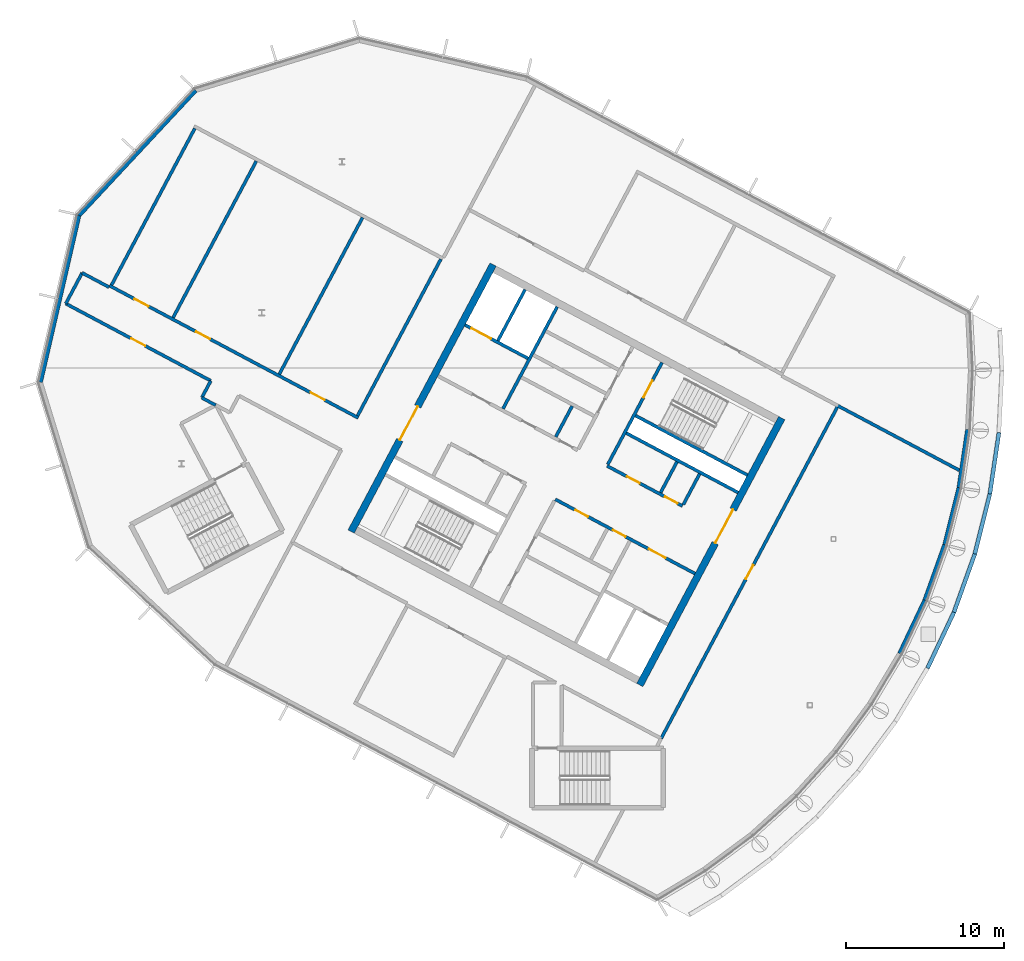
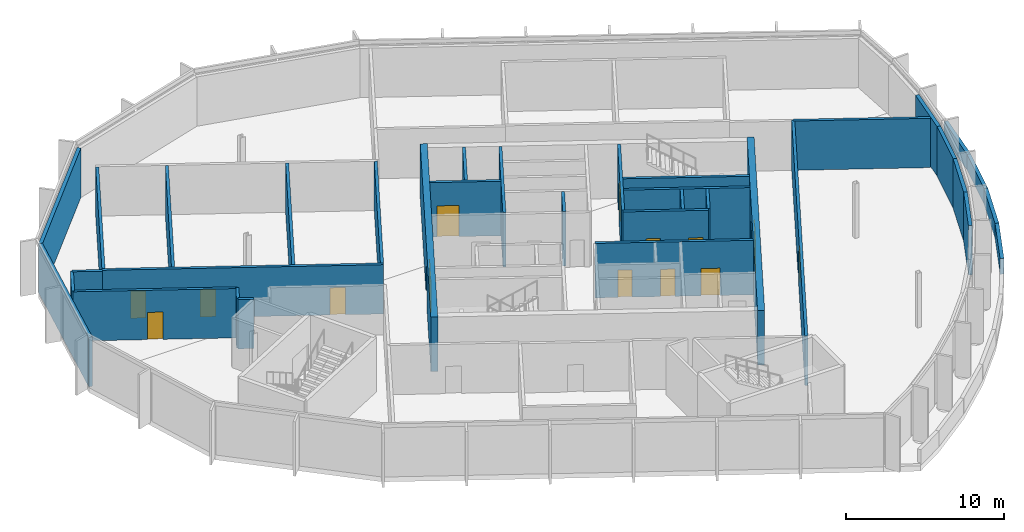
# One storey, part 7 of 16: 35 walls, 14 doors, 14 openings.
"""IFC4 building model written with IfcOpenShell, lengths in metres."""

from ifc_helpers import new_model, si_unit, direction, frame, frame_2d, origin, place, context, subcontext, project, spatial, rectangle, extrude, material, layer, layer_set, type_object, element, fill, save


model = new_model("IFC4")

# Units and contexts
model_context = context("Model", 3, precision=1e-05, world=origin(), true_north=direction((0.0, 1.0)))
body_context = subcontext(model_context, "Body", "Model", "MODEL_VIEW")
ifc_project = project(units=[si_unit("LENGTHUNIT", "METRE"), si_unit("AREAUNIT", "SQUARE_METRE"), si_unit("VOLUMEUNIT", "CUBIC_METRE"), si_unit("PLANEANGLEUNIT", "RADIAN"), si_unit("MASSUNIT", "GRAM", prefix="KILO")], contexts=[model_context])

# Site, building, storey
site_placement = place(None, origin())
site = spatial("IfcSite", under=ifc_project, at=site_placement, CompositionType="ELEMENT")
building_placement = place(site_placement, origin())
building = spatial("IfcBuilding", under=site, at=building_placement, Name="Cormorant Relay Tower", CompositionType="ELEMENT")
storey_placement = place(building_placement, frame((0.0, 0.0, 345.0)))
storey = spatial("IfcBuildingStorey", under=building, at=storey_placement, Name="C5", CompositionType="ELEMENT", Elevation=345.0)

# Walls
ifc_material_1 = material(Name="Concrete 40 MPa", Category="concrete")
ifc_layer_1 = layer(ifc_material_1, 0.199951171875)
ifc_layer_set_1 = layer_set([ifc_layer_1], Name="Core internal wall 200")
wall_type_1 = type_object("IfcWallType", Name="Core internal wall 200", PredefinedType="SOLIDWALL", material=ifc_layer_set_1)
for number, where, z_axis, x_axis, name in (
    (1, (-20.39013671875, 15.371826171875, 0.0), (0.0, 0.0, 1.0), (-0.4694473164, -0.882960484464, 0.0), "C5 core A shaft and room wall"),
    (2, (-27.01220703125, 18.892822265625, 0.0), (0.0, 0.0, 1.0), (-0.4694473164, -0.882960484464, 0.0), "C5 core A shaft and room wall"),
):
    element("IfcWall", number, at=place(storey_placement, frame(where, z_axis=z_axis, x_axis=x_axis)), inside=storey, type_object=wall_type_1, Name=name, PredefinedType="SOLIDWALL", context=body_context, shape_type="SweptSolid", body=[
        extrude(rectangle(XDim=2.199951171875, YDim=0.199951171875, at=frame_2d((1.10009765625, 0.0))), origin(), (0.0, 0.0, 1.0), 4.199951171875),
    ])
ifc_material_2 = material(Name="Concrete 50 MPa", Category="concrete")
ifc_layer_2 = layer(ifc_material_2, 0.199951171875)
ifc_layer_set_2 = layer_set([ifc_layer_2], Name="Core shaft wall 200")
wall_type_2 = type_object("IfcWallType", Name="Core shaft wall 200", PredefinedType="SHEAR", material=ifc_layer_set_2)
wall_1_placement = place(storey_placement, frame((-18.959716796875, 14.611328125, 0.0), z_axis=(0.0, 0.0, 1.0), x_axis=(-0.4694473164, -0.882960484464, 0.0)))
element("IfcWall", 3, at=wall_1_placement, inside=storey, type_object=wall_type_2, Name="C5 core A shaft wall", PredefinedType="SHEAR", context=body_context, shape_type="SweptSolid", body=[
    extrude(rectangle(XDim=2.199951171875, YDim=0.199951171875, at=frame_2d((1.10009765625, 0.0))), origin(), (0.0, 0.0, 1.0), 4.199951171875),
])

# Wall, opening, door
wall_2_placement = place(storey_placement, frame((-21.333251953125, 21.6494140625, 0.0), z_axis=(0.0, 0.0, 1.0), x_axis=(-0.469494272526, -0.882935517501, 0.0)))
wall_2 = element("IfcWall", 4, at=wall_2_placement, inside=storey, type_object=wall_type_2, Name="C5 core A shaft wall", PredefinedType="SHEAR", context=body_context, shape_type="SweptSolid", body=[
    extrude(rectangle(XDim=7.2998046875, YDim=0.199951171875, at=frame_2d((3.64990234375, 0.0))), origin(), (0.0, 0.0, 1.0), 4.199951171875),
])
opening_1_placement = place(wall_2_placement, frame((1.300048828125, 0.0, 0.0)))
opening_1 = element("IfcOpeningElement", 5, at=opening_1_placement, cuts=wall_2, Name="Opening CDB-044", PredefinedType="OPENING", context=body_context, shape_type="SweptSolid", body=[
    extrude(rectangle(XDim=1.199951171875, YDim=2.10009765625, at=frame_2d((0.60009765625, 1.050048828125))), frame((0.0, 0.10986328125, 0.0), z_axis=(0.0, -1.0, 0.0), x_axis=(1.0, 0.0, 0.0)), (0.0, 0.0, 1.0), 0.219970703125),
])
ifc_material_3 = material(Name="Steel fire door", Category="steel")
door_type_1 = type_object("IfcDoorType", Name="Core stair door 1200x2100", OperationType="SINGLE_SWING_LEFT", PredefinedType="DOOR", material=ifc_material_3)
door_1_placement = place(opening_1_placement, origin())
door_1 = element("IfcDoor", 6, at=door_1_placement, inside=storey, type_object=door_type_1, Name="Core stair door 1200x2100", OperationType="SINGLE_SWING_RIGHT", OverallHeight=2.10009765625, OverallWidth=1.199951171875, PredefinedType="DOOR", context=body_context, shape_type="SweptSolid", body=[
    extrude(rectangle(XDim=1.199951171875, YDim=2.10009765625, at=frame_2d((0.60009765625, 1.050048828125))), frame((0.0, 0.02490234375, 0.0), z_axis=(0.0, -1.0, 0.0), x_axis=(1.0, 0.0, 0.0)), (0.0, 0.0, 1.0), 0.050048828125),
])
fill(opening_1, door_1)

# Walls
wall_3_placement = place(storey_placement, frame((-27.955322265625, 25.170654296875, 0.0), z_axis=(0.0, 0.0, 1.0), x_axis=(-0.469480409012, -0.88294288918, 0.0)))
element("IfcWall", 7, at=wall_3_placement, inside=storey, type_object=wall_type_2, Name="C5 core A shaft wall", PredefinedType="SHEAR", context=body_context, shape_type="SweptSolid", body=[
    extrude(rectangle(XDim=7.300048828125, YDim=0.199951171875, at=frame_2d((3.64990234375, 0.0))), origin(), (0.0, 0.0, 1.0), 4.199951171875),
])
wall_4_placement = place(storey_placement, frame((-29.986083984375, 26.250244140625, 0.0), z_axis=(0.0, 0.0, 1.0), x_axis=(-0.469494272526, -0.882935517501, 0.0)))
element("IfcWall", 8, at=wall_4_placement, inside=storey, type_object=wall_type_2, Name="C5 core A shaft wall", PredefinedType="SHEAR", context=body_context, shape_type="SweptSolid", body=[
    extrude(rectangle(XDim=3.64990234375, YDim=0.199951171875, at=frame_2d((1.824951171875, 0.0))), origin(), (0.0, 0.0, 1.0), 4.199951171875),
])
wall_5_placement = place(storey_placement, frame((-15.94189453125, 14.53564453125, 0.0), z_axis=(0.0, 0.0, 1.0), x_axis=(-0.882946947542, 0.469472776449, 0.0)))
element("IfcWall", 9, at=wall_5_placement, inside=storey, type_object=wall_type_2, Name="C5 core A shaft wall", PredefinedType="SHEAR", context=body_context, shape_type="SweptSolid", body=[
    extrude(rectangle(XDim=8.000244140625, YDim=0.199951171875, at=frame_2d((4.0, 0.0))), origin(), (0.0, 0.0, 1.0), 4.199951171875),
])

# Wall, opening, door
wall_6_placement = place(storey_placement, frame((-29.80419921875, 21.906494140625, 0.0), z_axis=(0.0, 0.0, 1.0), x_axis=(-0.882960433586, 0.469447412093, 0.0)))
wall_6 = element("IfcWall", 10, at=wall_6_placement, inside=storey, type_object=wall_type_2, Name="C5 core A shaft wall", PredefinedType="SHEAR", context=body_context, shape_type="SweptSolid", body=[
    extrude(rectangle(XDim=4.5, YDim=0.199951171875, at=frame_2d((2.25, 0.0))), origin(), (0.0, 0.0, 1.0), 4.199951171875),
])
opening_2_placement = place(wall_6_placement, frame((2.64990234375, 0.0, 0.0)))
opening_2 = element("IfcOpeningElement", 11, at=opening_2_placement, cuts=wall_6, Name="Opening LD3-017", PredefinedType="OPENING", context=body_context, shape_type="SweptSolid", body=[
    extrude(rectangle(XDim=1.39990234375, YDim=2.39990234375, at=frame_2d((0.699951171875, 1.199951171875))), frame((0.0, 0.10986328125, 0.0), z_axis=(0.0, -1.0, 0.0), x_axis=(1.0, 0.0, 0.0)), (0.0, 0.0, 1.0), 0.219970703125),
])
ifc_material_4 = material(Name="Stainless steel 316", Category="steel")
door_type_2 = type_object("IfcDoorType", Name="Lift landing door 1400x2400", OperationType="DOUBLE_DOOR_SLIDING", PredefinedType="DOOR", material=ifc_material_4)
door_2_placement = place(opening_2_placement, origin())
door_2 = element("IfcDoor", 12, at=door_2_placement, inside=storey, type_object=door_type_2, Name="SV1 landing door", OperationType="DOUBLE_DOOR_SLIDING", OverallHeight=2.39990234375, OverallWidth=1.39990234375, PredefinedType="DOOR", context=body_context, shape_type="SweptSolid", body=[
    extrude(rectangle(XDim=1.39990234375, YDim=2.39990234375, at=frame_2d((0.699951171875, 1.199951171875))), frame((0.0, 0.02490234375, 0.0), z_axis=(0.0, -1.0, 0.0), x_axis=(1.0, 0.0, 0.0)), (0.0, 0.0, 1.0), 0.050048828125),
])
fill(opening_2, door_2)

# Wall
wall_7_placement = place(storey_placement, frame((-16.52880859375, 13.43212890625, 0.0), z_axis=(0.0, 0.0, 1.0), x_axis=(-0.88295287151, 0.469461634952, 0.0)))
element("IfcWall", 13, at=wall_7_placement, inside=storey, type_object=wall_type_2, Name="C5 core A shaft wall", PredefinedType="SHEAR", context=body_context, shape_type="SweptSolid", body=[
    extrude(rectangle(XDim=7.999755859375, YDim=0.199951171875, at=frame_2d((4.0, 0.0))), origin(), (0.0, 0.0, 1.0), 4.199951171875),
])

# Wall, openings, doors
wall_8_placement = place(storey_placement, frame((-20.03955078125, 12.58056640625, 0.0), z_axis=(0.0, 0.0, 1.0), x_axis=(-0.882942972946, 0.469480251476, 0.0)))
wall_8 = element("IfcWall", 14, at=wall_8_placement, inside=storey, type_object=wall_type_2, Name="C5 core A shaft wall", PredefinedType="SHEAR", context=body_context, shape_type="SweptSolid", body=[
    extrude(rectangle(XDim=5.39990234375, YDim=0.199951171875, at=frame_2d((2.699951171875, 0.0))), origin(), (0.0, 0.0, 1.0), 4.199951171875),
])
opening_3_placement = place(wall_8_placement, frame((0.360107421875, 0.0, 0.0)))
opening_3 = element("IfcOpeningElement", 15, at=opening_3_placement, cuts=wall_8, Name="Opening CDD-356", PredefinedType="OPENING", context=body_context, shape_type="SweptSolid", body=[
    extrude(rectangle(XDim=0.89990234375, YDim=2.10009765625, at=frame_2d((0.449951171875, 1.050048828125))), frame((0.0, 0.10986328125, 0.0), z_axis=(0.0, -1.0, 0.0), x_axis=(1.0, 0.0, 0.0)), (0.0, 0.0, 1.0), 0.219970703125),
])
opening_4_placement = place(wall_8_placement, frame((3.06005859375, 0.0, 0.0)))
opening_4 = element("IfcOpeningElement", 16, at=opening_4_placement, cuts=wall_8, Name="Opening CDD-357", PredefinedType="OPENING", context=body_context, shape_type="SweptSolid", body=[
    extrude(rectangle(XDim=0.89990234375, YDim=2.10009765625, at=frame_2d((0.449951171875, 1.050048828125))), frame((0.0, 0.10986328125, 0.0), z_axis=(0.0, -1.0, 0.0), x_axis=(1.0, 0.0, 0.0)), (0.0, 0.0, 1.0), 0.219970703125),
])
ifc_material_5 = material(Name="Steel fire door", Category="steel")
door_type_3 = type_object("IfcDoorType", Name="Core room door 900x2100", OperationType="SINGLE_SWING_LEFT", PredefinedType="DOOR", material=ifc_material_5)
door_3_placement = place(opening_3_placement, frame((0.89990234375, 0.0, 0.0), z_axis=(0.0, 0.0, 1.0), x_axis=(-1.0, 0.0, 0.0)))
door_3 = element("IfcDoor", 17, at=door_3_placement, inside=storey, type_object=door_type_3, Name="Core room door 900x2100", OperationType="SINGLE_SWING_RIGHT", OverallHeight=2.10009765625, OverallWidth=0.89990234375, PredefinedType="DOOR", context=body_context, shape_type="SweptSolid", body=[
    extrude(rectangle(XDim=0.89990234375, YDim=2.10009765625, at=frame_2d((0.449951171875, 1.050048828125))), frame((0.0, 0.02490234375, 0.0), z_axis=(0.0, -1.0, 0.0), x_axis=(1.0, 0.0, 0.0)), (0.0, 0.0, 1.0), 0.050048828125),
])
fill(opening_3, door_3)
door_4_placement = place(opening_4_placement, frame((0.89990234375, 0.0, 0.0), z_axis=(0.0, 0.0, 1.0), x_axis=(-1.0, 0.0, 0.0)))
door_4 = element("IfcDoor", 18, at=door_4_placement, inside=storey, type_object=door_type_3, Name="Core room door 900x2100", OperationType="SINGLE_SWING_RIGHT", OverallHeight=2.10009765625, OverallWidth=0.89990234375, PredefinedType="DOOR", context=body_context, shape_type="SweptSolid", body=[
    extrude(rectangle(XDim=0.89990234375, YDim=2.10009765625, at=frame_2d((0.449951171875, 1.050048828125))), frame((0.0, 0.02490234375, 0.0), z_axis=(0.0, -1.0, 0.0), x_axis=(1.0, 0.0, 0.0)), (0.0, 0.0, 1.0), 0.050048828125),
])
fill(opening_4, door_4)

wall_9_placement = place(storey_placement, frame((-19.251708984375, 8.31103515625, 0.0), z_axis=(0.0, 0.0, 1.0), x_axis=(-0.882955722218, 0.469456273365, 0.0)))
wall_9 = element("IfcWall", 19, at=wall_9_placement, inside=storey, type_object=wall_type_2, Name="C5 core A shaft wall", PredefinedType="SHEAR", context=body_context, shape_type="SweptSolid", body=[
    extrude(rectangle(XDim=10.0, YDim=0.199951171875, at=frame_2d((5.0, 0.0))), origin(), (0.0, 0.0, 1.0), 4.199951171875),
])
opening_5_placement = place(wall_9_placement, frame((2.10009765625, 0.0, 0.0)))
opening_5 = element("IfcOpeningElement", 20, at=opening_5_placement, cuts=wall_9, Name="Opening CDC-040", PredefinedType="OPENING", context=body_context, shape_type="SweptSolid", body=[
    extrude(rectangle(XDim=1.199951171875, YDim=2.10009765625, at=frame_2d((0.60009765625, 1.050048828125))), frame((0.0, 0.10986328125, 0.0), z_axis=(0.0, -1.0, 0.0), x_axis=(1.0, 0.0, 0.0)), (0.0, 0.0, 1.0), 0.219970703125),
])
opening_6_placement = place(wall_9_placement, frame((4.9599609375, 0.0, 0.0)))
opening_6 = element("IfcOpeningElement", 21, at=opening_6_placement, cuts=wall_9, Name="Opening CDD-372", PredefinedType="OPENING", context=body_context, shape_type="SweptSolid", body=[
    extrude(rectangle(XDim=0.89990234375, YDim=2.10009765625, at=frame_2d((0.449951171875, 1.050048828125))), frame((0.0, 0.10986328125, 0.0), z_axis=(0.0, -1.0, 0.0), x_axis=(1.0, 0.0, 0.0)), (0.0, 0.0, 1.0), 0.219970703125),
])
opening_7_placement = place(wall_9_placement, frame((7.659912109375, 0.0, 0.0)))
opening_7 = element("IfcOpeningElement", 22, at=opening_7_placement, cuts=wall_9, Name="Opening CDD-373", PredefinedType="OPENING", context=body_context, shape_type="SweptSolid", body=[
    extrude(rectangle(XDim=0.89990234375, YDim=2.10009765625, at=frame_2d((0.449951171875, 1.050048828125))), frame((0.0, 0.10986328125, 0.0), z_axis=(0.0, -1.0, 0.0), x_axis=(1.0, 0.0, 0.0)), (0.0, 0.0, 1.0), 0.219970703125),
])
ifc_material_6 = material(Name="Steel fire door", Category="steel")
door_type_4 = type_object("IfcDoorType", Name="Core lobby door 1200x2100", OperationType="SINGLE_SWING_LEFT", PredefinedType="DOOR", material=ifc_material_6)
door_5_placement = place(opening_5_placement, origin())
door_5 = element("IfcDoor", 23, at=door_5_placement, inside=storey, type_object=door_type_4, Name="Core lobby door 1200x2100", OperationType="SINGLE_SWING_RIGHT", OverallHeight=2.10009765625, OverallWidth=1.199951171875, PredefinedType="DOOR", context=body_context, shape_type="SweptSolid", body=[
    extrude(rectangle(XDim=1.199951171875, YDim=2.10009765625, at=frame_2d((0.60009765625, 1.050048828125))), frame((0.0, 0.02490234375, 0.0), z_axis=(0.0, -1.0, 0.0), x_axis=(1.0, 0.0, 0.0)), (0.0, 0.0, 1.0), 0.050048828125),
])
fill(opening_5, door_5)
door_6_placement = place(opening_6_placement, origin())
door_6 = element("IfcDoor", 24, at=door_6_placement, inside=storey, type_object=door_type_3, Name="Core room door 900x2100", OperationType="SINGLE_SWING_LEFT", OverallHeight=2.10009765625, OverallWidth=0.89990234375, PredefinedType="DOOR", context=body_context, shape_type="SweptSolid", body=[
    extrude(rectangle(XDim=0.89990234375, YDim=2.10009765625, at=frame_2d((0.449951171875, 1.050048828125))), frame((0.0, 0.02490234375, 0.0), z_axis=(0.0, -1.0, 0.0), x_axis=(1.0, 0.0, 0.0)), (0.0, 0.0, 1.0), 0.050048828125),
])
fill(opening_6, door_6)
door_7_placement = place(opening_7_placement, origin())
door_7 = element("IfcDoor", 25, at=door_7_placement, inside=storey, type_object=door_type_3, Name="Core room door 900x2100", OperationType="SINGLE_SWING_LEFT", OverallHeight=2.10009765625, OverallWidth=0.89990234375, PredefinedType="DOOR", context=body_context, shape_type="SweptSolid", body=[
    extrude(rectangle(XDim=0.89990234375, YDim=2.10009765625, at=frame_2d((0.449951171875, 1.050048828125))), frame((0.0, 0.02490234375, 0.0), z_axis=(0.0, -1.0, 0.0), x_axis=(1.0, 0.0, 0.0)), (0.0, 0.0, 1.0), 0.050048828125),
])
fill(opening_7, door_7)

# Wall, opening, door
ifc_material_7 = material(Name="Concrete 50 MPa", Category="concrete")
ifc_layer_3 = layer(ifc_material_7, 0.449951171875)
ifc_layer_set_3 = layer_set([ifc_layer_3], Name="Core wall 450")
wall_type_3 = type_object("IfcWallType", Name="Core wall 450", PredefinedType="SHEAR", material=ifc_layer_set_3)
wall_10_placement = place(storey_placement, frame((-13.771484375, 18.138427734375, 0.0), z_axis=(0.0, 0.0, 1.0), x_axis=(-0.469467968382, -0.882949504028, 0.0)))
wall_10 = element("IfcWall", 26, at=wall_10_placement, inside=storey, type_object=wall_type_3, Name="C5 core A wall", PredefinedType="SHEAR", context=body_context, shape_type="SweptSolid", body=[
    extrude(rectangle(XDim=19.099853515625, YDim=0.449951171875, at=frame_2d((9.5498046875, 0.0))), origin(), (0.0, 0.0, 1.0), 4.199951171875),
])
opening_8_placement = place(wall_10_placement, frame((6.550048828125, 0.0, 0.0)))
opening_8 = element("IfcOpeningElement", 27, at=opening_8_placement, cuts=wall_10, Name="Opening CDA-060", PredefinedType="OPENING", context=body_context, shape_type="SweptSolid", body=[
    extrude(rectangle(XDim=2.39990234375, YDim=2.39990234375, at=frame_2d((1.199951171875, 1.199951171875))), frame((0.0, 0.23486328125, 0.0), z_axis=(0.0, -1.0, 0.0), x_axis=(1.0, 0.0, 0.0)), (0.0, 0.0, 1.0), 0.469970703125),
])
ifc_material_8 = material(Name="Steel fire door", Category="steel")
door_type_5 = type_object("IfcDoorType", Name="Core lobby door 2400x2400", OperationType="DOUBLE_DOOR_SINGLE_SWING", PredefinedType="DOOR", material=ifc_material_8)
door_8_placement = place(opening_8_placement, origin())
door_8 = element("IfcDoor", 28, at=door_8_placement, inside=storey, type_object=door_type_5, Name="Core lobby door 2400x2400", OperationType="DOUBLE_DOOR_SINGLE_SWING", OverallHeight=2.39990234375, OverallWidth=2.39990234375, PredefinedType="DOOR", context=body_context, shape_type="SweptSolid", body=[
    extrude(rectangle(XDim=2.39990234375, YDim=2.39990234375, at=frame_2d((1.199951171875, 1.199951171875))), frame((0.0, 0.02490234375, 0.0), z_axis=(0.0, -1.0, 0.0), x_axis=(1.0, 0.0, 0.0)), (0.0, 0.0, 1.0), 0.050048828125),
])
fill(opening_8, door_8)

wall_11_placement = place(storey_placement, frame((-32.00439453125, 27.8330078125, 0.0), z_axis=(0.0, 0.0, 1.0), x_axis=(-0.469467968382, -0.882949504028, 0.0)))
wall_11 = element("IfcWall", 29, at=wall_11_placement, inside=storey, type_object=wall_type_3, Name="C5 core A wall", PredefinedType="SHEAR", context=body_context, shape_type="SweptSolid", body=[
    extrude(rectangle(XDim=19.099853515625, YDim=0.449951171875, at=frame_2d((9.5498046875, 0.0))), origin(), (0.0, 0.0, 1.0), 4.199951171875),
])
opening_9_placement = place(wall_11_placement, frame((10.14990234375, 0.0, 0.0)))
opening_9 = element("IfcOpeningElement", 30, at=opening_9_placement, cuts=wall_11, Name="Opening CDA-059", PredefinedType="OPENING", context=body_context, shape_type="SweptSolid", body=[
    extrude(rectangle(XDim=2.39990234375, YDim=2.39990234375, at=frame_2d((1.199951171875, 1.199951171875))), frame((0.0, 0.23486328125, 0.0), z_axis=(0.0, -1.0, 0.0), x_axis=(1.0, 0.0, 0.0)), (0.0, 0.0, 1.0), 0.469970703125),
])
door_9_placement = place(opening_9_placement, origin())
door_9 = element("IfcDoor", 31, at=door_9_placement, inside=storey, type_object=door_type_5, Name="Core lobby door 2400x2400", OperationType="DOUBLE_DOOR_SINGLE_SWING", OverallHeight=2.39990234375, OverallWidth=2.39990234375, PredefinedType="DOOR", context=body_context, shape_type="SweptSolid", body=[
    extrude(rectangle(XDim=2.39990234375, YDim=2.39990234375, at=frame_2d((1.199951171875, 1.199951171875))), frame((0.0, 0.02490234375, 0.0), z_axis=(0.0, -1.0, 0.0), x_axis=(1.0, 0.0, 0.0)), (0.0, 0.0, 1.0), 0.050048828125),
])
fill(opening_9, door_9)

# Wall, openings, doors
ifc_material_9 = material(Name="Concrete 30 MPa block wall", Category="concrete")
ifc_layer_4 = layer(ifc_material_9, 0.199951171875)
ifc_layer_set_4 = layer_set([ifc_layer_4], Name="Crown plant room wall 200")
wall_type_4 = type_object("IfcWallType", Name="Crown plant room wall 200", PredefinedType="PARTITIONING", material=ifc_layer_set_4)
wall_12_placement = place(storey_placement, frame((-40.52294921875, 18.148681640625, 0.0), z_axis=(0.0, 0.0, 1.0), x_axis=(-0.882946425434, 0.469473758387, 0.0)))
wall_12 = element("IfcWall", 32, at=wall_12_placement, inside=storey, type_object=wall_type_4, Name="Plant room wall", PredefinedType="PARTITIONING", context=body_context, shape_type="SweptSolid", body=[
    extrude(rectangle(XDim=17.800048828125, YDim=0.199951171875, at=frame_2d((8.89990234375, 0.0))), origin(), (0.0, 0.0, 1.0), 3.7998046875),
])
opening_10_placement = place(wall_12_placement, frame((2.39990234375, 0.0, 0.0)))
opening_10 = element("IfcOpeningElement", 33, at=opening_10_placement, cuts=wall_12, Name="Opening CRD1-003", PredefinedType="OPENING", context=body_context, shape_type="SweptSolid", body=[
    extrude(rectangle(XDim=1.0, YDim=2.10009765625, at=frame_2d((0.5, 1.050048828125))), frame((0.0, 0.10986328125, 0.0), z_axis=(0.0, -1.0, 0.0), x_axis=(1.0, 0.0, 0.0)), (0.0, 0.0, 1.0), 0.219970703125),
])
opening_11_placement = place(wall_12_placement, frame((10.60009765625, 0.0, 0.0)))
opening_11 = element("IfcOpeningElement", 34, at=opening_11_placement, cuts=wall_12, Name="Opening CRD1-004", PredefinedType="OPENING", context=body_context, shape_type="SweptSolid", body=[
    extrude(rectangle(XDim=1.0, YDim=2.10009765625, at=frame_2d((0.5, 1.050048828125))), frame((0.0, 0.10986328125, 0.0), z_axis=(0.0, -1.0, 0.0), x_axis=(1.0, 0.0, 0.0)), (0.0, 0.0, 1.0), 0.219970703125),
])
opening_12_placement = place(wall_12_placement, frame((15.0, 0.0, 0.0)))
opening_12 = element("IfcOpeningElement", 35, at=opening_12_placement, cuts=wall_12, Name="Opening CRD1-005", PredefinedType="OPENING", context=body_context, shape_type="SweptSolid", body=[
    extrude(rectangle(XDim=1.0, YDim=2.10009765625, at=frame_2d((0.5, 1.050048828125))), frame((0.0, 0.10986328125, 0.0), z_axis=(0.0, -1.0, 0.0), x_axis=(1.0, 0.0, 0.0)), (0.0, 0.0, 1.0), 0.219970703125),
])
ifc_material_10 = material(Name="Galvanised sheet steel ASTM A653 framed door leaf", Category="steel")
door_type_6 = type_object("IfcDoorType", Name="Crown door single 1000", OperationType="SINGLE_SWING_LEFT", PredefinedType="DOOR", material=ifc_material_10)
door_10_placement = place(opening_10_placement, frame((1.0, 0.0, 0.0), z_axis=(0.0, 0.0, 1.0), x_axis=(-1.0, 0.0, 0.0)))
door_10 = element("IfcDoor", 36, at=door_10_placement, inside=storey, type_object=door_type_6, Name="Antenna feeder room door", OperationType="SINGLE_SWING_RIGHT", OverallHeight=2.10009765625, OverallWidth=1.0, PredefinedType="DOOR", context=body_context, shape_type="SweptSolid", body=[
    extrude(rectangle(XDim=1.0, YDim=2.10009765625, at=frame_2d((0.5, 1.050048828125))), frame((0.0, 0.02490234375, 0.0), z_axis=(0.0, -1.0, 0.0), x_axis=(1.0, 0.0, 0.0)), (0.0, 0.0, 1.0), 0.050048828125),
])
fill(opening_10, door_10)
door_11_placement = place(opening_11_placement, frame((1.0, 0.0, 0.0), z_axis=(0.0, 0.0, 1.0), x_axis=(-1.0, 0.0, 0.0)))
door_11 = element("IfcDoor", 37, at=door_11_placement, inside=storey, type_object=door_type_6, Name="Telecom equipment room door", OperationType="SINGLE_SWING_RIGHT", OverallHeight=2.10009765625, OverallWidth=1.0, PredefinedType="DOOR", context=body_context, shape_type="SweptSolid", body=[
    extrude(rectangle(XDim=1.0, YDim=2.10009765625, at=frame_2d((0.5, 1.050048828125))), frame((0.0, 0.02490234375, 0.0), z_axis=(0.0, -1.0, 0.0), x_axis=(1.0, 0.0, 0.0)), (0.0, 0.0, 1.0), 0.050048828125),
])
fill(opening_11, door_11)
door_12_placement = place(opening_12_placement, frame((1.0, 0.0, 0.0), z_axis=(0.0, 0.0, 1.0), x_axis=(-1.0, 0.0, 0.0)))
door_12 = element("IfcDoor", 38, at=door_12_placement, inside=storey, type_object=door_type_6, Name="Radio frequency room door", OperationType="SINGLE_SWING_RIGHT", OverallHeight=2.10009765625, OverallWidth=1.0, PredefinedType="DOOR", context=body_context, shape_type="SweptSolid", body=[
    extrude(rectangle(XDim=1.0, YDim=2.10009765625, at=frame_2d((0.5, 1.050048828125))), frame((0.0, 0.02490234375, 0.0), z_axis=(0.0, -1.0, 0.0), x_axis=(1.0, 0.0, 0.0)), (0.0, 0.0, 1.0), 0.050048828125),
])
fill(opening_12, door_12)

# Walls
for number, where, z_axis, x_axis, name in (
    (39, (-35.306396484375, 28.173095703125, 0.0), (0.0, 0.0, 1.0), (-0.469447393298, -0.882960443579, 0.0), "Plant room wall"),
    (40, (-40.250732421875, 30.802001953125, 0.0), (0.0, 0.0, 1.0), (-0.469473423128, -0.882946603695, 0.0), "Plant room wall"),
):
    element("IfcWall", number, at=place(storey_placement, frame(where, z_axis=z_axis, x_axis=x_axis)), inside=storey, type_object=wall_type_4, Name=name, PredefinedType="PARTITIONING", context=body_context, shape_type="SweptSolid", body=[
        extrude(rectangle(XDim=11.199951171875, YDim=0.199951171875, at=frame_2d((5.60009765625, 0.0))), origin(), (0.0, 0.0, 1.0), 3.7998046875),
    ])
for number, where, z_axis, x_axis, name in (
    (41, (-46.961181640625, 34.3701171875, 0.0), (0.0, 0.0, 1.0), (-0.46946438738, -0.882951408052, 0.0), "Plant room wall"),
    (42, (-50.84619140625, 36.435791015625, 0.0), (0.0, 0.0, 1.0), (-0.46946438738, -0.882951408052, 0.0), "Plant room wall"),
):
    element("IfcWall", number, at=place(storey_placement, frame(where, z_axis=z_axis, x_axis=x_axis)), inside=storey, type_object=wall_type_4, Name=name, PredefinedType="PARTITIONING", context=body_context, shape_type="SweptSolid", body=[
        extrude(rectangle(XDim=11.2001953125, YDim=0.199951171875, at=frame_2d((5.60009765625, 0.0))), origin(), (0.0, 0.0, 1.0), 3.7998046875),
    ])
wall_13_placement = place(storey_placement, frame((-57.964111328125, 27.30908203125, 0.0), z_axis=(0.0, 0.0, 1.0), x_axis=(0.882957622595, -0.46945269911, 0.0)))
element("IfcWall", 43, at=wall_13_placement, inside=storey, type_object=wall_type_4, Name="Plant room wall", PredefinedType="PARTITIONING", context=body_context, shape_type="SweptSolid", body=[
    extrude(rectangle(XDim=1.919921875, YDim=0.199951171875, at=frame_2d((0.9599609375, 0.0))), origin(), (0.0, 0.0, 1.0), 3.7998046875),
])
wall_14_placement = place(storey_placement, frame((-49.529296875, 18.9501953125, 0.0), z_axis=(0.0, 0.0, 1.0), x_axis=(-0.880014039158, 0.474947671733, 0.0)))
element("IfcWall", 44, at=wall_14_placement, inside=storey, type_object=wall_type_4, Name="Plant room wall", PredefinedType="PARTITIONING", context=body_context, shape_type="SweptSolid", body=[
    extrude(rectangle(XDim=0.99560546875, YDim=0.199951171875, at=frame_2d((0.497802734375, 0.0))), origin(), (0.0, 0.0, 1.0), 3.7998046875),
])
wall_15_placement = place(storey_placement, frame((-50.405517578125, 19.423095703125, 0.0), z_axis=(0.0, 0.0, 1.0), x_axis=(0.469425611223, 0.882972024204, 0.0)))
element("IfcWall", 45, at=wall_15_placement, inside=storey, type_object=wall_type_4, Name="Plant room wall", PredefinedType="PARTITIONING", context=body_context, shape_type="SweptSolid", body=[
    extrude(rectangle(XDim=1.210205078125, YDim=0.199951171875, at=frame_2d((0.60498046875, 0.0))), origin(), (0.0, 0.0, 1.0), 3.7998046875),
])

# Wall, opening, door
wall_16_placement = place(storey_placement, frame((-49.83740234375, 20.49169921875, 0.0), z_axis=(0.0, 0.0, 1.0), x_axis=(-0.882753842136, 0.469835773643, 0.0)))
wall_16 = element("IfcWall", 46, at=wall_16_placement, inside=storey, type_object=wall_type_4, Name="Plant room wall", PredefinedType="PARTITIONING", context=body_context, shape_type="SweptSolid", body=[
    extrude(rectangle(XDim=10.3759765625, YDim=0.199951171875, at=frame_2d((5.18798828125, 0.0))), origin(), (0.0, 0.0, 1.0), 3.7998046875),
])
opening_13_placement = place(wall_16_placement, frame((4.68798828125, 0.0, 0.0)))
opening_13 = element("IfcOpeningElement", 47, at=opening_13_placement, cuts=wall_16, Name="Opening CRD1-007", PredefinedType="OPENING", context=body_context, shape_type="SweptSolid", body=[
    extrude(rectangle(XDim=1.0, YDim=2.10009765625, at=frame_2d((0.5, 1.050048828125))), frame((0.0, 0.10986328125, 0.0), z_axis=(0.0, -1.0, 0.0), x_axis=(1.0, 0.0, 0.0)), (0.0, 0.0, 1.0), 0.219970703125),
])
door_13_placement = place(opening_13_placement, origin())
door_13 = element("IfcDoor", 48, at=door_13_placement, inside=storey, type_object=door_type_6, Name="Telecom equipment hall door", OperationType="SINGLE_SWING_LEFT", OverallHeight=2.10009765625, OverallWidth=1.0, PredefinedType="DOOR", context=body_context, shape_type="SweptSolid", body=[
    extrude(rectangle(XDim=1.0, YDim=2.10009765625, at=frame_2d((0.5, 1.050048828125))), frame((0.0, 0.02490234375, 0.0), z_axis=(0.0, -1.0, 0.0), x_axis=(1.0, 0.0, 0.0)), (0.0, 0.0, 1.0), 0.050048828125),
])
fill(opening_13, door_13)

# Wall
wall_17_placement = place(storey_placement, frame((-58.996826171875, 25.36669921875, 0.0), z_axis=(0.0, 0.0, 1.0), x_axis=(0.4694473164, 0.882960484464, 0.0)))
element("IfcWall", 49, at=wall_17_placement, inside=storey, type_object=wall_type_4, Name="Plant room wall", PredefinedType="PARTITIONING", context=body_context, shape_type="SweptSolid", body=[
    extrude(rectangle(XDim=2.199951171875, YDim=0.199951171875, at=frame_2d((1.10009765625, 0.0))), origin(), (0.0, 0.0, 1.0), 3.7998046875),
])

# Wall, opening, door
wall_18_placement = place(storey_placement, frame((-10.218017578125, 18.91064453125, 0.0), z_axis=(0.0, 0.0, 1.0), x_axis=(-0.469468702847, -0.882949113509, 0.0)))
wall_18 = element("IfcWall", 50, at=wall_18_placement, inside=storey, type_object=wall_type_4, Name="Plant room wall", PredefinedType="PARTITIONING", context=body_context, shape_type="SweptSolid", body=[
    extrude(rectangle(XDim=23.800048828125, YDim=0.199951171875, at=frame_2d((11.89990234375, 0.0))), origin(), (0.0, 0.0, 1.0), 3.7998046875),
])
opening_14_placement = place(wall_18_placement, frame((11.39990234375, 0.0, 0.0)))
opening_14 = element("IfcOpeningElement", 51, at=opening_14_placement, cuts=wall_18, Name="Opening CRD1-015", PredefinedType="OPENING", context=body_context, shape_type="SweptSolid", body=[
    extrude(rectangle(XDim=1.0, YDim=2.10009765625, at=frame_2d((0.5, 1.050048828125))), frame((0.0, 0.10986328125, 0.0), z_axis=(0.0, -1.0, 0.0), x_axis=(1.0, 0.0, 0.0)), (0.0, 0.0, 1.0), 0.219970703125),
])
door_14_placement = place(opening_14_placement, origin())
door_14 = element("IfcDoor", 52, at=door_14_placement, inside=storey, type_object=door_type_6, Name="Carrier equipment room door", OperationType="SINGLE_SWING_LEFT", OverallHeight=2.10009765625, OverallWidth=1.0, PredefinedType="DOOR", context=body_context, shape_type="SweptSolid", body=[
    extrude(rectangle(XDim=1.0, YDim=2.10009765625, at=frame_2d((0.5, 1.050048828125))), frame((0.0, 0.02490234375, 0.0), z_axis=(0.0, -1.0, 0.0), x_axis=(1.0, 0.0, 0.0)), (0.0, 0.0, 1.0), 0.050048828125),
])
fill(opening_14, door_14)

# Walls
wall_19_placement = place(storey_placement, frame((-2.54931640625, 14.834228515625, 0.0), z_axis=(0.0, 0.0, 1.0), x_axis=(-0.883008196905, 0.469357565401, 0.0)))
element("IfcWall", 53, at=wall_19_placement, inside=storey, type_object=wall_type_4, Name="Plant room wall", PredefinedType="PARTITIONING", context=body_context, shape_type="SweptSolid", body=[
    extrude(rectangle(XDim=8.703857421875, YDim=0.199951171875, at=frame_2d((4.35205078125, 0.0))), origin(), (0.0, 0.0, 1.0), 3.7998046875),
])
ifc_material_11 = material(Name="Bronze cladding on Concrete 30 MPa block wall", Category="concrete")
ifc_layer_5 = layer(ifc_material_11, 0.25)
ifc_layer_set_5 = layer_set([ifc_layer_5], Name="Crown wall 250")
wall_type_5 = type_object("IfcWallType", Name="Crown wall 250", PredefinedType="STANDARD", material=ifc_layer_set_5)
for number, where, z_axis, x_axis, name in (
    (54, (-60.590576171875, 20.397705078125, 0.0), (0.0, 0.0, 1.0), (0.224943678254, 0.97437176766, 0.0), "Crown wall C5"),
    (55, (-58.160400390625, 30.92431640625, 0.0), (0.0, 0.0, 1.0), (0.681998532518, 0.731353540802, 0.0), "Crown wall C5"),
):
    element("IfcWall", number, at=place(storey_placement, frame(where, z_axis=z_axis, x_axis=x_axis)), inside=storey, type_object=wall_type_5, Name=name, PredefinedType="STANDARD", context=body_context, shape_type="SweptSolid", body=[
        extrude(rectangle(XDim=10.803466796875, YDim=0.25, at=frame_2d((5.40185546875, 0.0))), origin(), (0.0, 0.0, 1.0), 3.7998046875),
    ])
wall_20_placement = place(storey_placement, frame((-2.040283203125, 17.413818359375, 0.0), z_axis=(0.0, 0.0, 1.0), x_axis=(-0.14667959342, -0.989184056116, 0.0)))
element("IfcWall", 56, at=wall_20_placement, inside=storey, type_object=wall_type_5, Name="Crown wall C5", PredefinedType="STANDARD", context=body_context, shape_type="SweptSolid", body=[
    extrude(rectangle(XDim=3.716796875, YDim=0.25, at=frame_2d((1.8583984375, 0.0))), origin(), (0.0, 0.0, 1.0), 3.7998046875),
])
wall_21_placement = place(storey_placement, frame((-2.58544921875, 13.7373046875, 0.0), z_axis=(0.0, 0.0, 1.0), x_axis=(-0.24301467049, -0.970022613101, 0.0)))
element("IfcWall", 57, at=wall_21_placement, inside=storey, type_object=wall_type_5, Name="Crown wall C5", PredefinedType="STANDARD", context=body_context, shape_type="SweptSolid", body=[
    extrude(rectangle(XDim=3.717041015625, YDim=0.25, at=frame_2d((1.8583984375, 0.0))), origin(), (0.0, 0.0, 1.0), 3.7998046875),
])
for number, where, z_axis, x_axis, name in (
    (58, (-3.48876953125, 10.131591796875, 0.0), (0.0, 0.0, 1.0), (-0.336844012176, -0.941560466173, 0.0), "Crown wall C5"),
    (59, (-4.74072265625, 6.632080078125, 0.0), (0.0, 0.0, 1.0), (-0.42761192427, -0.903962411952, 0.0), "Crown wall C5"),
):
    element("IfcWall", number, at=place(storey_placement, frame(where, z_axis=z_axis, x_axis=x_axis)), inside=storey, type_object=wall_type_5, Name=name, PredefinedType="STANDARD", context=body_context, shape_type="SweptSolid", body=[
        extrude(rectangle(XDim=3.716796875, YDim=0.25, at=frame_2d((1.8583984375, 0.0))), origin(), (0.0, 0.0, 1.0), 3.7998046875),
    ])
ifc_material_12 = material(Name="Bronze cladding on Concrete 30 MPa block wall", Category="concrete")
ifc_layer_6 = layer(ifc_material_12, 0.25)
ifc_layer_set_6 = layer_set([ifc_layer_6], Name="Parapet 250")
wall_type_6 = type_object("IfcWallType", Name="Parapet 250", PredefinedType="PARAPET", material=ifc_layer_set_6)
wall_22_placement = place(storey_placement, frame((-0.0498046875, 17.2177734375, 0.0), z_axis=(0.0, 0.0, 1.0), x_axis=(-0.146738588488, -0.989175306328, 0.0)))
element("IfcWall", 60, at=wall_22_placement, inside=storey, type_object=wall_type_6, Name="Terrace parapet C4", PredefinedType="PARAPET", context=body_context, shape_type="SweptSolid", body=[
    extrude(rectangle(XDim=3.913330078125, YDim=0.25, at=frame_2d((1.95654296875, 0.0))), origin(), (0.0, 0.0, 1.0), 1.199951171875),
])
wall_23_placement = place(storey_placement, frame((-0.6240234375, 13.346923828125, 0.0), z_axis=(0.0, 0.0, 1.0), x_axis=(-0.242961347419, -0.970035970292, 0.0)))
element("IfcWall", 61, at=wall_23_placement, inside=storey, type_object=wall_type_6, Name="Terrace parapet C4", PredefinedType="PARAPET", context=body_context, shape_type="SweptSolid", body=[
    extrude(rectangle(XDim=3.912841796875, YDim=0.25, at=frame_2d((1.95654296875, 0.0))), origin(), (0.0, 0.0, 1.0), 1.199951171875),
])
wall_24_placement = place(storey_placement, frame((-1.57470703125, 9.55126953125, 0.0), z_axis=(0.0, 0.0, 1.0), x_axis=(-0.336889635149, -0.941544143272, 0.0)))
element("IfcWall", 62, at=wall_24_placement, inside=storey, type_object=wall_type_6, Name="Terrace parapet C4", PredefinedType="PARAPET", context=body_context, shape_type="SweptSolid", body=[
    extrude(rectangle(XDim=3.913330078125, YDim=0.25, at=frame_2d((1.95654296875, 0.0))), origin(), (0.0, 0.0, 1.0), 1.199951171875),
])
wall_25_placement = place(storey_placement, frame((-2.89306640625, 5.86669921875, 0.0), z_axis=(0.0, 0.0, 1.0), x_axis=(-0.427565971831, -0.903984147943, 0.0)))
element("IfcWall", 63, at=wall_25_placement, inside=storey, type_object=wall_type_6, Name="Terrace parapet C4", PredefinedType="PARAPET", context=body_context, shape_type="SweptSolid", body=[
    extrude(rectangle(XDim=3.9130859375, YDim=0.25, at=frame_2d((1.95654296875, 0.0))), origin(), (0.0, 0.0, 1.0), 1.199951171875),
])

save(model, "model.ifc")
